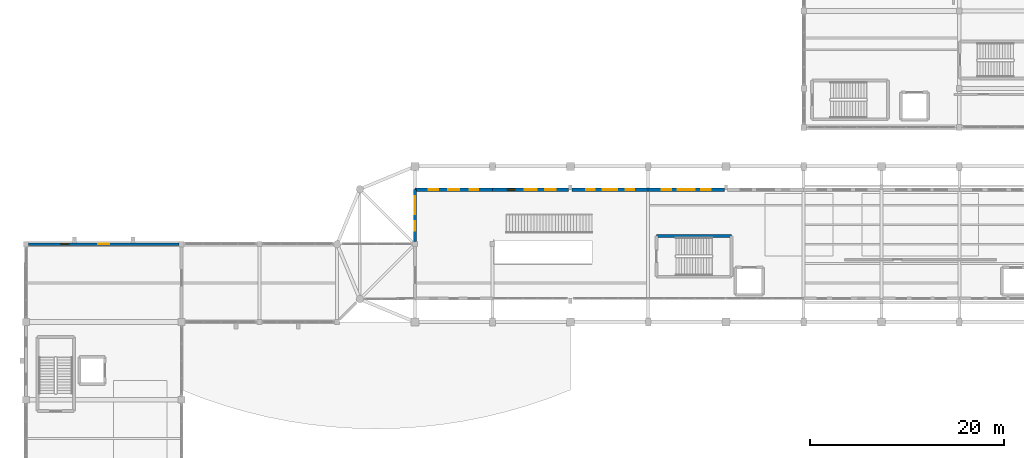
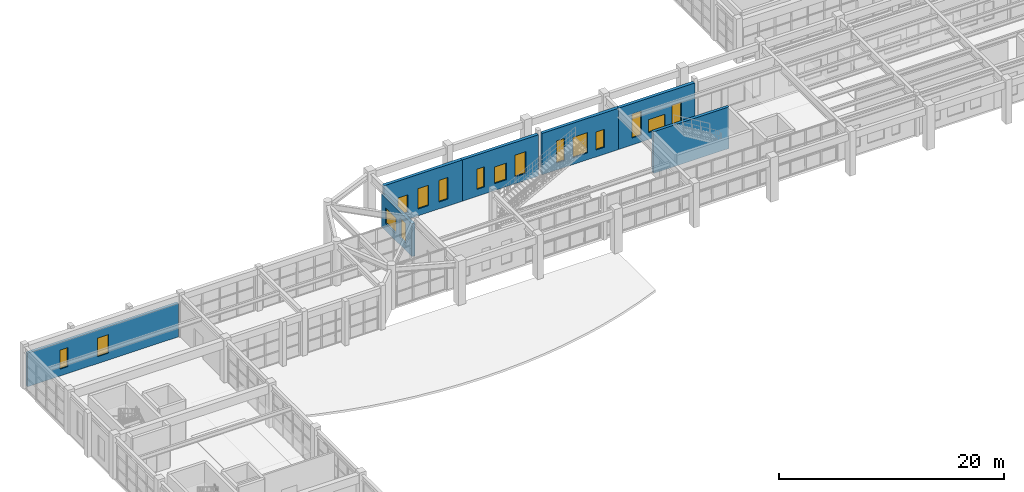
# One storey, part 43 of 59: 16 windows, 7 walls, 16 openings.
"""IFC4 building model written with IfcOpenShell, lengths in metres."""

from ifc_helpers import new_model, si_unit, direction, frame, frame_2d, origin, place, context, subcontext, project, spatial, rectangle, extrude, material, layer, layer_set, type_object, element, fill, save


model = new_model("IFC4")

# Units and contexts
model_context = context("Model", 3, precision=1e-05, world=origin(), true_north=direction((0.0, 1.0)))
body_context = subcontext(model_context, "Body", "Model", "MODEL_VIEW")
ifc_project = project(units=[si_unit("LENGTHUNIT", "METRE"), si_unit("AREAUNIT", "SQUARE_METRE"), si_unit("VOLUMEUNIT", "CUBIC_METRE"), si_unit("PLANEANGLEUNIT", "RADIAN"), si_unit("MASSUNIT", "GRAM", prefix="KILO")], contexts=[model_context])

# Site, building, storey
site_placement = place(None, origin())
site = spatial("IfcSite", under=ifc_project, at=site_placement, CompositionType="ELEMENT")
building_placement = place(site_placement, origin())
building = spatial("IfcBuilding", under=site, at=building_placement, Name="Serraluz Foothill Cableway Terminal", CompositionType="ELEMENT")
storey_placement = place(building_placement, frame((0.0, 0.0, 4.800048828125)))
storey = spatial("IfcBuildingStorey", under=building, at=storey_placement, Name="L01", CompositionType="ELEMENT", Elevation=4.800048828125)

# Wall, openings, windows
ifc_material_1 = material(Name="Fired clay masonry brick (f'm 12 MPa)", Category="masonry")
ifc_layer_1 = layer(ifc_material_1, 0.260009765625, Name="Fired clay masonry brick (f'm 12 MPa)", Category="masonry")
ifc_layer_set_1 = layer_set([ifc_layer_1], Name="Fired clay masonry brick (f'm 12 MPa)")
wall_type_1 = type_object("IfcWallType", Name="TYP-WL-EXT-260", PredefinedType="STANDARD", material=ifc_layer_set_1)
wall_1_placement = place(storey_placement, frame((0.27490234375, 64.0, 0.0), z_axis=(0.0, 0.0, 1.0), x_axis=(1.0, 0.0, 0.0)))
wall_1 = element("IfcWall", 1, at=wall_1_placement, inside=storey, type_object=wall_type_1, Name="Exterior Masonry Wall EW-V5N-L01", PredefinedType="STANDARD", context=body_context, shape_type="SweptSolid", body=[
    extrude(rectangle(XDim=15.4501953125, YDim=0.260009765625, at=frame_2d((7.72509765625, 0.0))), origin(), (0.0, 0.0, 1.0), 3.639892578125),
])
opening_1_placement = place(wall_1_placement, frame((3.30810546875, 0.0, 0.75)))
opening_1 = element("IfcOpeningElement", 2, at=opening_1_placement, cuts=wall_1, Name="Opening W-36", PredefinedType="OPENING", context=body_context, shape_type="SweptSolid", body=[
    extrude(rectangle(XDim=0.800048828125, YDim=2.050048828125, at=frame_2d((0.39990234375, 1.02490234375))), frame((0.0, 0.14013671875, 0.0), z_axis=(0.0, -1.0, 0.0), x_axis=(1.0, 0.0, 0.0)), (0.0, 0.0, 1.0), 0.280029296875),
])
opening_2_placement = place(wall_1_placement, frame((7.14990234375, 0.0, 0.75)))
opening_2 = element("IfcOpeningElement", 3, at=opening_2_placement, cuts=wall_1, Name="Opening W-39", PredefinedType="OPENING", context=body_context, shape_type="SweptSolid", body=[
    extrude(rectangle(XDim=1.14990234375, YDim=2.0, at=frame_2d((0.574951171875, 1.0))), frame((0.0, 0.14013671875, 0.0), z_axis=(0.0, -1.0, 0.0), x_axis=(1.0, 0.0, 0.0)), (0.0, 0.0, 1.0), 0.280029296875),
])
ifc_material_2 = material(Name="Laminated low-E safety glass", Category="glass")
window_type_1 = type_object("IfcWindowType", Name="TYP-WN-080X205", PartitioningType="SINGLE_PANEL", PredefinedType="WINDOW", material=ifc_material_2)
window_1_placement = place(opening_1_placement, origin())
window_1 = element("IfcWindow", 4, at=window_1_placement, inside=storey, type_object=window_type_1, Name="Exterior Window EW-V5N-L01-WN1", OverallHeight=2.050048828125, OverallWidth=0.800048828125, PartitioningType="SINGLE_PANEL", PredefinedType="WINDOW", context=body_context, shape_type="SweptSolid", body=[
    extrude(rectangle(XDim=0.800048828125, YDim=2.050048828125, at=frame_2d((0.39990234375, 1.02490234375))), frame((0.0, 0.030029296875, 0.0), z_axis=(0.0, -1.0, 0.0), x_axis=(1.0, 0.0, 0.0)), (0.0, 0.0, 1.0), 0.06005859375),
])
fill(opening_1, window_1)
window_type_2 = type_object("IfcWindowType", Name="TYP-WN-115X200", PartitioningType="SINGLE_PANEL", PredefinedType="WINDOW", material=ifc_material_2)
window_2_placement = place(opening_2_placement, origin())
window_2 = element("IfcWindow", 5, at=window_2_placement, inside=storey, type_object=window_type_2, Name="Exterior Window EW-V5N-L01-WN2", OverallHeight=2.0, OverallWidth=1.14990234375, PartitioningType="SINGLE_PANEL", PredefinedType="WINDOW", context=body_context, shape_type="SweptSolid", body=[
    extrude(rectangle(XDim=1.14990234375, YDim=2.0, at=frame_2d((0.574951171875, 1.0))), frame((0.0, 0.030029296875, 0.0), z_axis=(0.0, -1.0, 0.0), x_axis=(1.0, 0.0, 0.0)), (0.0, 0.0, 1.0), 0.06005859375),
])
fill(opening_2, window_2)

ifc_material_3 = material(Name="Dark clinker clay masonry brick (f'm 14 MPa)", Category="masonry")
ifc_layer_2 = layer(ifc_material_3, 0.320068359375, Name="Dark clinker clay masonry brick (f'm 14 MPa)", Category="masonry")
ifc_layer_set_2 = layer_set([ifc_layer_2], Name="Dark clinker clay masonry brick (f'm 14 MPa)")
wall_type_2 = type_object("IfcWallType", Name="TYP-WL-EXT-320", PredefinedType="STANDARD", material=ifc_layer_set_2)
wall_2_placement = place(storey_placement, frame((40.0, 69.60009765625, 0.0), z_axis=(0.0, 0.0, 1.0), x_axis=(1.0, 0.0, 0.0)))
wall_2 = element("IfcWall", 6, at=wall_2_placement, inside=storey, type_object=wall_type_2, Name="Exterior Masonry Wall EW-V1N-L01-40", PredefinedType="STANDARD", context=body_context, shape_type="SweptSolid", body=[
    extrude(rectangle(XDim=8.0, YDim=0.320068359375, at=frame_2d((4.0, 0.0))), origin(), (0.0, 0.0, 1.0), 4.474853515625),
])
opening_3_placement = place(wall_2_placement, frame((1.419921875, 0.0, 0.75)))
opening_3 = element("IfcOpeningElement", 7, at=opening_3_placement, cuts=wall_2, Name="Opening W-24", PredefinedType="OPENING", context=body_context, shape_type="SweptSolid", body=[
    extrude(rectangle(XDim=1.0, YDim=1.89990234375, at=frame_2d((0.5, 0.949951171875))), frame((0.0, 0.169921875, 0.0), z_axis=(0.0, -1.0, 0.0), x_axis=(1.0, 0.0, 0.0)), (0.0, 0.0, 1.0), 0.340087890625),
])
opening_4_placement = place(wall_2_placement, frame((3.449951171875, 0.0, 0.75)))
opening_4 = element("IfcOpeningElement", 8, at=opening_4_placement, cuts=wall_2, Name="Opening W-04", PredefinedType="OPENING", context=body_context, shape_type="SweptSolid", body=[
    extrude(rectangle(XDim=1.10009765625, YDim=2.199951171875, at=frame_2d((0.550048828125, 1.10009765625))), frame((0.0, 0.169921875, 0.0), z_axis=(0.0, -1.0, 0.0), x_axis=(1.0, 0.0, 0.0)), (0.0, 0.0, 1.0), 0.340087890625),
])
opening_5_placement = place(wall_2_placement, frame((5.6298828125, 0.0, 0.75)))
opening_5 = element("IfcOpeningElement", 9, at=opening_5_placement, cuts=wall_2, Name="Opening W-37", PredefinedType="OPENING", context=body_context, shape_type="SweptSolid", body=[
    extrude(rectangle(XDim=0.89990234375, YDim=2.35009765625, at=frame_2d((0.449951171875, 1.175048828125))), frame((0.0, 0.169921875, 0.0), z_axis=(0.0, -1.0, 0.0), x_axis=(1.0, 0.0, 0.0)), (0.0, 0.0, 1.0), 0.340087890625),
])
window_type_3 = type_object("IfcWindowType", Name="TYP-WN-090X235", PartitioningType="SINGLE_PANEL", PredefinedType="WINDOW", material=ifc_material_2)
window_3_placement = place(opening_5_placement, origin())
window_3 = element("IfcWindow", 10, at=window_3_placement, inside=storey, type_object=window_type_3, Name="Exterior Window EW-V1N-L01-40-WN3", OverallHeight=2.35009765625, OverallWidth=0.89990234375, PartitioningType="SINGLE_PANEL", PredefinedType="WINDOW", context=body_context, shape_type="SweptSolid", body=[
    extrude(rectangle(XDim=0.89990234375, YDim=2.35009765625, at=frame_2d((0.449951171875, 1.175048828125))), frame((0.0, 0.030029296875, 0.0), z_axis=(0.0, -1.0, 0.0), x_axis=(1.0, 0.0, 0.0)), (0.0, 0.0, 1.0), 0.06005859375),
])
fill(opening_5, window_3)
window_type_4 = type_object("IfcWindowType", Name="TYP-WN-100X190", PartitioningType="SINGLE_PANEL", PredefinedType="WINDOW", material=ifc_material_2)
window_4_placement = place(opening_3_placement, origin())
window_4 = element("IfcWindow", 11, at=window_4_placement, inside=storey, type_object=window_type_4, Name="Exterior Window EW-V1N-L01-40-WN1", OverallHeight=1.89990234375, OverallWidth=1.0, PartitioningType="SINGLE_PANEL", PredefinedType="WINDOW", context=body_context, shape_type="SweptSolid", body=[
    extrude(rectangle(XDim=1.0, YDim=1.89990234375, at=frame_2d((0.5, 0.949951171875))), frame((0.0, 0.030029296875, 0.0), z_axis=(0.0, -1.0, 0.0), x_axis=(1.0, 0.0, 0.0)), (0.0, 0.0, 1.0), 0.06005859375),
])
fill(opening_3, window_4)
window_type_5 = type_object("IfcWindowType", Name="TYP-WN-110X220", PartitioningType="SINGLE_PANEL", PredefinedType="WINDOW", material=ifc_material_2)
window_5_placement = place(opening_4_placement, origin())
window_5 = element("IfcWindow", 12, at=window_5_placement, inside=storey, type_object=window_type_5, Name="Exterior Window EW-V1N-L01-40-WN2", OverallHeight=2.199951171875, OverallWidth=1.10009765625, PartitioningType="SINGLE_PANEL", PredefinedType="WINDOW", context=body_context, shape_type="SweptSolid", body=[
    extrude(rectangle(XDim=1.10009765625, YDim=2.199951171875, at=frame_2d((0.550048828125, 1.10009765625))), frame((0.0, 0.030029296875, 0.0), z_axis=(0.0, -1.0, 0.0), x_axis=(1.0, 0.0, 0.0)), (0.0, 0.0, 1.0), 0.06005859375),
])
fill(opening_4, window_5)

wall_3_placement = place(storey_placement, frame((48.0, 69.60009765625, 0.0), z_axis=(0.0, 0.0, 1.0), x_axis=(1.0, 0.0, 0.0)))
wall_3 = element("IfcWall", 13, at=wall_3_placement, inside=storey, type_object=wall_type_2, Name="Exterior Masonry Wall EW-V1N-L01-48", PredefinedType="STANDARD", context=body_context, shape_type="SweptSolid", body=[
    extrude(rectangle(XDim=7.824951171875, YDim=0.320068359375, at=frame_2d((3.91259765625, 0.0))), origin(), (0.0, 0.0, 1.0), 4.474853515625),
])
opening_6_placement = place(wall_3_placement, frame((1.5029296875, 0.0, 0.75)))
opening_6 = element("IfcOpeningElement", 14, at=opening_6_placement, cuts=wall_3, Name="Opening W-01", PredefinedType="OPENING", context=body_context, shape_type="SweptSolid", body=[
    extrude(rectangle(XDim=0.75, YDim=2.199951171875, at=frame_2d((0.375, 1.10009765625))), frame((0.0, 0.169921875, 0.0), z_axis=(0.0, -1.0, 0.0), x_axis=(1.0, 0.0, 0.0)), (0.0, 0.0, 1.0), 0.340087890625),
])
opening_7_placement = place(wall_3_placement, frame((3.3125, 0.0, 0.75)))
opening_7 = element("IfcOpeningElement", 15, at=opening_7_placement, cuts=wall_3, Name="Opening W-05", PredefinedType="OPENING", context=body_context, shape_type="SweptSolid", body=[
    extrude(rectangle(XDim=1.199951171875, YDim=1.800048828125, at=frame_2d((0.60009765625, 0.89990234375))), frame((0.0, 0.169921875, 0.0), z_axis=(0.0, -1.0, 0.0), x_axis=(1.0, 0.0, 0.0)), (0.0, 0.0, 1.0), 0.340087890625),
])
opening_8_placement = place(wall_3_placement, frame((5.386962890625, 0.0, 0.75)))
opening_8 = element("IfcOpeningElement", 16, at=opening_8_placement, cuts=wall_3, Name="Opening W-50", PredefinedType="OPENING", context=body_context, shape_type="SweptSolid", body=[
    extrude(rectangle(XDim=1.1201171875, YDim=2.35009765625, at=frame_2d((0.56005859375, 1.175048828125))), frame((0.0, 0.169921875, 0.0), z_axis=(0.0, -1.0, 0.0), x_axis=(1.0, 0.0, 0.0)), (0.0, 0.0, 1.0), 0.340087890625),
])
window_type_6 = type_object("IfcWindowType", Name="TYP-WN-075X220", PartitioningType="SINGLE_PANEL", PredefinedType="WINDOW", material=ifc_material_2)
window_6_placement = place(opening_6_placement, origin())
window_6 = element("IfcWindow", 17, at=window_6_placement, inside=storey, type_object=window_type_6, Name="Exterior Window EW-V1N-L01-48-WN1", OverallHeight=2.199951171875, OverallWidth=0.75, PartitioningType="SINGLE_PANEL", PredefinedType="WINDOW", context=body_context, shape_type="SweptSolid", body=[
    extrude(rectangle(XDim=0.75, YDim=2.199951171875, at=frame_2d((0.375, 1.10009765625))), frame((0.0, 0.030029296875, 0.0), z_axis=(0.0, -1.0, 0.0), x_axis=(1.0, 0.0, 0.0)), (0.0, 0.0, 1.0), 0.06005859375),
])
fill(opening_6, window_6)
window_type_7 = type_object("IfcWindowType", Name="TYP-WN-112X235", PartitioningType="SINGLE_PANEL", PredefinedType="WINDOW", material=ifc_material_2)
window_7_placement = place(opening_8_placement, origin())
window_7 = element("IfcWindow", 18, at=window_7_placement, inside=storey, type_object=window_type_7, Name="Exterior Window EW-V1N-L01-48-WN3", OverallHeight=2.35009765625, OverallWidth=1.1201171875, PartitioningType="SINGLE_PANEL", PredefinedType="WINDOW", context=body_context, shape_type="SweptSolid", body=[
    extrude(rectangle(XDim=1.1201171875, YDim=2.35009765625, at=frame_2d((0.56005859375, 1.175048828125))), frame((0.0, 0.030029296875, 0.0), z_axis=(0.0, -1.0, 0.0), x_axis=(1.0, 0.0, 0.0)), (0.0, 0.0, 1.0), 0.06005859375),
])
fill(opening_8, window_7)
window_type_8 = type_object("IfcWindowType", Name="TYP-WN-120X180", PartitioningType="DOUBLE_PANEL_VERTICAL", PredefinedType="WINDOW", material=ifc_material_2)
window_8_placement = place(opening_7_placement, origin())
window_8 = element("IfcWindow", 19, at=window_8_placement, inside=storey, type_object=window_type_8, Name="Exterior Window EW-V1N-L01-48-WN2", OverallHeight=1.800048828125, OverallWidth=1.199951171875, PartitioningType="SINGLE_PANEL", PredefinedType="WINDOW", context=body_context, shape_type="SweptSolid", body=[
    extrude(rectangle(XDim=1.199951171875, YDim=1.800048828125, at=frame_2d((0.60009765625, 0.89990234375))), frame((0.0, 0.030029296875, 0.0), z_axis=(0.0, -1.0, 0.0), x_axis=(1.0, 0.0, 0.0)), (0.0, 0.0, 1.0), 0.06005859375),
])
fill(opening_7, window_8)

wall_4_placement = place(storey_placement, frame((56.175048828125, 69.60009765625, 0.0), z_axis=(0.0, 0.0, 1.0), x_axis=(1.0, 0.0, 0.0)))
wall_4 = element("IfcWall", 20, at=wall_4_placement, inside=storey, type_object=wall_type_2, Name="Exterior Masonry Wall EW-V1N-L01-56", PredefinedType="STANDARD", context=body_context, shape_type="SweptSolid", body=[
    extrude(rectangle(XDim=7.824951171875, YDim=0.320068359375, at=frame_2d((3.91259765625, 0.0))), origin(), (0.0, 0.0, 1.0), 4.474853515625),
])
opening_9_placement = place(wall_4_placement, frame((1.452880859375, 0.0, 0.75)))
opening_9 = element("IfcOpeningElement", 21, at=opening_9_placement, cuts=wall_4, Name="Opening W-02", PredefinedType="OPENING", context=body_context, shape_type="SweptSolid", body=[
    extrude(rectangle(XDim=0.85009765625, YDim=2.39990234375, at=frame_2d((0.425048828125, 1.199951171875))), frame((0.0, 0.169921875, 0.0), z_axis=(0.0, -1.0, 0.0), x_axis=(1.0, 0.0, 0.0)), (0.0, 0.0, 1.0), 0.340087890625),
])
opening_10_placement = place(wall_4_placement, frame((3.16259765625, 0.0, 0.75)))
opening_10 = element("IfcOpeningElement", 22, at=opening_10_placement, cuts=wall_4, Name="Opening W-07", PredefinedType="OPENING", context=body_context, shape_type="SweptSolid", body=[
    extrude(rectangle(XDim=1.5, YDim=2.199951171875, at=frame_2d((0.75, 1.10009765625))), frame((0.0, 0.169921875, 0.0), z_axis=(0.0, -1.0, 0.0), x_axis=(1.0, 0.0, 0.0)), (0.0, 0.0, 1.0), 0.340087890625),
])
opening_11_placement = place(wall_4_placement, frame((5.507080078125, 0.0, 0.75)))
opening_11 = element("IfcOpeningElement", 23, at=opening_11_placement, cuts=wall_4, Name="Opening W-48", PredefinedType="OPENING", context=body_context, shape_type="SweptSolid", body=[
    extrude(rectangle(XDim=0.8798828125, YDim=1.949951171875, at=frame_2d((0.43994140625, 0.97509765625))), frame((0.0, 0.169921875, 0.0), z_axis=(0.0, -1.0, 0.0), x_axis=(1.0, 0.0, 0.0)), (0.0, 0.0, 1.0), 0.340087890625),
])
window_type_9 = type_object("IfcWindowType", Name="TYP-WN-085X240", PartitioningType="SINGLE_PANEL", PredefinedType="WINDOW", material=ifc_material_2)
window_9_placement = place(opening_9_placement, origin())
window_9 = element("IfcWindow", 24, at=window_9_placement, inside=storey, type_object=window_type_9, Name="Exterior Window EW-V1N-L01-56-WN1", OverallHeight=2.39990234375, OverallWidth=0.85009765625, PartitioningType="SINGLE_PANEL", PredefinedType="WINDOW", context=body_context, shape_type="SweptSolid", body=[
    extrude(rectangle(XDim=0.85009765625, YDim=2.39990234375, at=frame_2d((0.425048828125, 1.199951171875))), frame((0.0, 0.030029296875, 0.0), z_axis=(0.0, -1.0, 0.0), x_axis=(1.0, 0.0, 0.0)), (0.0, 0.0, 1.0), 0.06005859375),
])
fill(opening_9, window_9)
window_type_10 = type_object("IfcWindowType", Name="TYP-WN-088X195", PartitioningType="SINGLE_PANEL", PredefinedType="WINDOW", material=ifc_material_2)
window_10_placement = place(opening_11_placement, origin())
window_10 = element("IfcWindow", 25, at=window_10_placement, inside=storey, type_object=window_type_10, Name="Exterior Window EW-V1N-L01-56-WN3", OverallHeight=1.949951171875, OverallWidth=0.8798828125, PartitioningType="SINGLE_PANEL", PredefinedType="WINDOW", context=body_context, shape_type="SweptSolid", body=[
    extrude(rectangle(XDim=0.8798828125, YDim=1.949951171875, at=frame_2d((0.43994140625, 0.97509765625))), frame((0.0, 0.030029296875, 0.0), z_axis=(0.0, -1.0, 0.0), x_axis=(1.0, 0.0, 0.0)), (0.0, 0.0, 1.0), 0.06005859375),
])
fill(opening_11, window_10)
window_type_11 = type_object("IfcWindowType", Name="TYP-WN-150X220", PartitioningType="DOUBLE_PANEL_VERTICAL", PredefinedType="WINDOW", material=ifc_material_2)
window_11_placement = place(opening_10_placement, origin())
window_11 = element("IfcWindow", 26, at=window_11_placement, inside=storey, type_object=window_type_11, Name="Exterior Window EW-V1N-L01-56-WN2", OverallHeight=2.199951171875, OverallWidth=1.5, PartitioningType="SINGLE_PANEL", PredefinedType="WINDOW", context=body_context, shape_type="SweptSolid", body=[
    extrude(rectangle(XDim=1.5, YDim=2.199951171875, at=frame_2d((0.75, 1.10009765625))), frame((0.0, 0.030029296875, 0.0), z_axis=(0.0, -1.0, 0.0), x_axis=(1.0, 0.0, 0.0)), (0.0, 0.0, 1.0), 0.06005859375),
])
fill(opening_10, window_11)

wall_5_placement = place(storey_placement, frame((64.0, 69.60009765625, 0.0), z_axis=(0.0, 0.0, 1.0), x_axis=(1.0, 0.0, 0.0)))
wall_5 = element("IfcWall", 27, at=wall_5_placement, inside=storey, type_object=wall_type_2, Name="Exterior Masonry Wall EW-V1N-L01-64", PredefinedType="STANDARD", context=body_context, shape_type="SweptSolid", body=[
    extrude(rectangle(XDim=7.824951171875, YDim=0.320068359375, at=frame_2d((3.91259765625, 0.0))), origin(), (0.0, 0.0, 1.0), 4.474853515625),
])
opening_12_placement = place(wall_5_placement, frame((1.403076171875, 0.0, 0.75)))
opening_12 = element("IfcOpeningElement", 28, at=opening_12_placement, cuts=wall_5, Name="Opening W-03", PredefinedType="OPENING", context=body_context, shape_type="SweptSolid", body=[
    extrude(rectangle(XDim=0.949951171875, YDim=2.60009765625, at=frame_2d((0.47509765625, 1.300048828125))), frame((0.0, 0.169921875, 0.0), z_axis=(0.0, -1.0, 0.0), x_axis=(1.0, 0.0, 0.0)), (0.0, 0.0, 1.0), 0.340087890625),
])
opening_13_placement = place(wall_5_placement, frame((3.051513671875, 0.0, 0.75)))
opening_13 = element("IfcOpeningElement", 29, at=opening_13_placement, cuts=wall_5, Name="Opening W-09", PredefinedType="OPENING", context=body_context, shape_type="SweptSolid", body=[
    extrude(rectangle(XDim=1.721923828125, YDim=1.39990234375, at=frame_2d((0.86083984375, 0.699951171875))), frame((0.0, 0.169921875, 0.0), z_axis=(0.0, -1.0, 0.0), x_axis=(1.0, 0.0, 0.0)), (0.0, 0.0, 1.0), 0.340087890625),
])
opening_14_placement = place(wall_5_placement, frame((5.45703125, 0.0, 0.75)))
opening_14 = element("IfcOpeningElement", 30, at=opening_14_placement, cuts=wall_5, Name="Opening W-49", PredefinedType="OPENING", context=body_context, shape_type="SweptSolid", body=[
    extrude(rectangle(XDim=0.97998046875, YDim=2.14990234375, at=frame_2d((0.489990234375, 1.074951171875))), frame((0.0, 0.169921875, 0.0), z_axis=(0.0, -1.0, 0.0), x_axis=(1.0, 0.0, 0.0)), (0.0, 0.0, 1.0), 0.340087890625),
])
window_type_12 = type_object("IfcWindowType", Name="TYP-WN-095X260", PartitioningType="SINGLE_PANEL", PredefinedType="WINDOW", material=ifc_material_2)
window_12_placement = place(opening_12_placement, origin())
window_12 = element("IfcWindow", 31, at=window_12_placement, inside=storey, type_object=window_type_12, Name="Exterior Window EW-V1N-L01-64-WN1", OverallHeight=2.60009765625, OverallWidth=0.949951171875, PartitioningType="SINGLE_PANEL", PredefinedType="WINDOW", context=body_context, shape_type="SweptSolid", body=[
    extrude(rectangle(XDim=0.949951171875, YDim=2.60009765625, at=frame_2d((0.47509765625, 1.300048828125))), frame((0.0, 0.030029296875, 0.0), z_axis=(0.0, -1.0, 0.0), x_axis=(1.0, 0.0, 0.0)), (0.0, 0.0, 1.0), 0.06005859375),
])
fill(opening_12, window_12)
window_type_13 = type_object("IfcWindowType", Name="TYP-WN-098X215", PartitioningType="SINGLE_PANEL", PredefinedType="WINDOW", material=ifc_material_2)
window_13_placement = place(opening_14_placement, origin())
window_13 = element("IfcWindow", 32, at=window_13_placement, inside=storey, type_object=window_type_13, Name="Exterior Window EW-V1N-L01-64-WN3", OverallHeight=2.14990234375, OverallWidth=0.97998046875, PartitioningType="SINGLE_PANEL", PredefinedType="WINDOW", context=body_context, shape_type="SweptSolid", body=[
    extrude(rectangle(XDim=0.97998046875, YDim=2.14990234375, at=frame_2d((0.489990234375, 1.074951171875))), frame((0.0, 0.030029296875, 0.0), z_axis=(0.0, -1.0, 0.0), x_axis=(1.0, 0.0, 0.0)), (0.0, 0.0, 1.0), 0.06005859375),
])
fill(opening_14, window_13)
window_type_14 = type_object("IfcWindowType", Name="TYP-WN-180X140", PartitioningType="DOUBLE_PANEL_VERTICAL", PredefinedType="WINDOW", material=ifc_material_2)
window_14_placement = place(opening_13_placement, origin())
window_14 = element("IfcWindow", 33, at=window_14_placement, inside=storey, type_object=window_type_14, Name="Exterior Window EW-V1N-L01-64-WN2", OverallHeight=1.39990234375, OverallWidth=1.721923828125, PartitioningType="SINGLE_PANEL", PredefinedType="WINDOW", context=body_context, shape_type="SweptSolid", body=[
    extrude(rectangle(XDim=1.721923828125, YDim=1.39990234375, at=frame_2d((0.86083984375, 0.699951171875))), frame((0.0, 0.030029296875, 0.0), z_axis=(0.0, -1.0, 0.0), x_axis=(1.0, 0.0, 0.0)), (0.0, 0.0, 1.0), 0.06005859375),
])
fill(opening_13, window_14)

wall_6_placement = place(storey_placement, frame((40.0, 64.25, 0.0), z_axis=(0.0, 0.0, 1.0), x_axis=(0.0, 1.0, 0.0)))
wall_6 = element("IfcWall", 34, at=wall_6_placement, inside=storey, type_object=wall_type_2, Name="Exterior Masonry Wall EW-V1W-L01-N", PredefinedType="STANDARD", context=body_context, shape_type="SweptSolid", body=[
    extrude(rectangle(XDim=5.35009765625, YDim=0.320068359375, at=frame_2d((2.675048828125, 0.0))), origin(), (0.0, 0.0, 1.0), 3.5478515625),
])
opening_15_placement = place(wall_6_placement, frame((1.114990234375, 0.0, 0.800048828125)))
opening_15 = element("IfcOpeningElement", 35, at=opening_15_placement, cuts=wall_6, Name="Opening W-49", PredefinedType="OPENING", context=body_context, shape_type="SweptSolid", body=[
    extrude(rectangle(XDim=0.97998046875, YDim=2.14990234375, at=frame_2d((0.489990234375, 1.074951171875))), frame((0.0, 0.169921875, 0.0), z_axis=(0.0, -1.0, 0.0), x_axis=(1.0, 0.0, 0.0)), (0.0, 0.0, 1.0), 0.340087890625),
])
opening_16_placement = place(wall_6_placement, frame((2.80908203125, 0.0, 0.800048828125)))
opening_16 = element("IfcOpeningElement", 36, at=opening_16_placement, cuts=wall_6, Name="Opening W-44", PredefinedType="OPENING", context=body_context, shape_type="SweptSolid", body=[
    extrude(rectangle(XDim=1.8720703125, YDim=1.64990234375, at=frame_2d((0.93603515625, 0.824951171875))), frame((0.0, 0.169921875, 0.0), z_axis=(0.0, -1.0, 0.0), x_axis=(1.0, 0.0, 0.0)), (0.0, 0.0, 1.0), 0.340087890625),
])
window_15_placement = place(opening_15_placement, origin())
window_15 = element("IfcWindow", 37, at=window_15_placement, inside=storey, type_object=window_type_13, Name="Exterior Window EW-V1W-L01-N-WN1", OverallHeight=2.14990234375, OverallWidth=0.97998046875, PartitioningType="SINGLE_PANEL", PredefinedType="WINDOW", context=body_context, shape_type="SweptSolid", body=[
    extrude(rectangle(XDim=0.97998046875, YDim=2.14990234375, at=frame_2d((0.489990234375, 1.074951171875))), frame((0.0, 0.030029296875, 0.0), z_axis=(0.0, -1.0, 0.0), x_axis=(1.0, 0.0, 0.0)), (0.0, 0.0, 1.0), 0.06005859375),
])
fill(opening_15, window_15)
window_type_15 = type_object("IfcWindowType", Name="TYP-WN-190X165", PartitioningType="DOUBLE_PANEL_VERTICAL", PredefinedType="WINDOW", material=ifc_material_2)
window_16_placement = place(opening_16_placement, origin())
window_16 = element("IfcWindow", 38, at=window_16_placement, inside=storey, type_object=window_type_15, Name="Exterior Window EW-V1W-L01-N-WN2", OverallHeight=1.64990234375, OverallWidth=1.8720703125, PartitioningType="SINGLE_PANEL", PredefinedType="WINDOW", context=body_context, shape_type="SweptSolid", body=[
    extrude(rectangle(XDim=1.8720703125, YDim=1.64990234375, at=frame_2d((0.93603515625, 0.824951171875))), frame((0.0, 0.030029296875, 0.0), z_axis=(0.0, -1.0, 0.0), x_axis=(1.0, 0.0, 0.0)), (0.0, 0.0, 1.0), 0.06005859375),
])
fill(opening_16, window_16)

# Wall
ifc_material_4 = material(Name="Concrete C35/45 (f'c 35 MPa)", Category="concrete")
ifc_layer_3 = layer(ifc_material_4, 0.300048828125, Name="Concrete C35/45 (f'c 35 MPa)", Category="concrete")
ifc_layer_set_3 = layer_set([ifc_layer_3], Name="Concrete C35/45 (f'c 35 MPa)")
wall_type_3 = type_object("IfcWallType", Name="TYP-WL-SHR-350", PredefinedType="SHEAR", material=ifc_layer_set_3)
wall_7_placement = place(storey_placement, frame((64.85009765625, 64.830078125, 0.0), z_axis=(0.0, 0.0, 1.0), x_axis=(1.0, 0.0, 0.0)))
element("IfcWall", 39, at=wall_7_placement, inside=storey, type_object=wall_type_3, Name="Stair Core Shear Wall CW-ST-03-L01-N", PredefinedType="SHEAR", context=body_context, shape_type="SweptSolid", body=[
    extrude(rectangle(XDim=7.724853515625, YDim=0.300048828125, at=frame_2d((3.8623046875, 0.0))), origin(), (0.0, 0.0, 1.0), 4.5),
])

save(model, "model.ifc")
